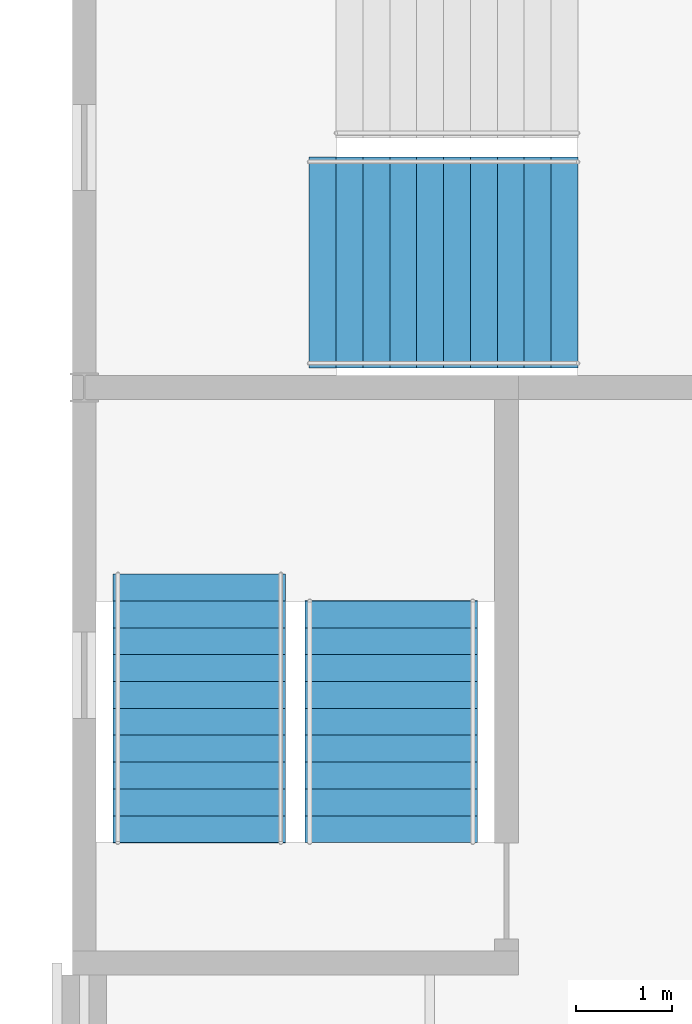
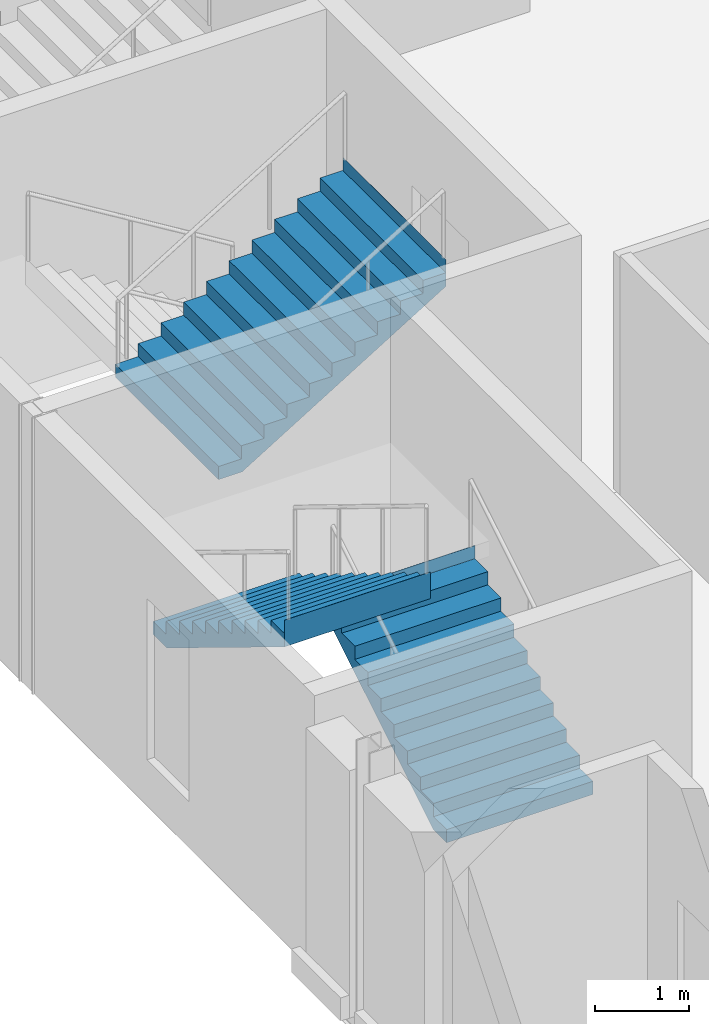
# One storey, part 81 of 124: 3 stair flights, 2 elements without a shape of their own.
"""IFC4 building model written with IfcOpenShell, lengths in metres."""

import ifcopenshell
import ifcopenshell.guid

model = None  # the IFC model being written
_history = None  # IfcOwnerHistory: only IFC2X3 demands one
_inside = {}  # id of a spatial element -> (the spatial element, [elements in it])
_under = {}  # id of a project, library or spatial element -> (it, [spatial elements below it])
_declared = {}  # id of a project -> (the project, [libraries it declares])
_typed = {}  # id of a type object -> (the type object, [elements of that type])
_made_of = {}  # id of a material, layer set ... -> (it, [elements and type objects made of it])


def new_model(schema):
    """Start an empty IFC model of exactly this schema.

    Asked for "IFC4X3", IfcOpenShell would pick the latest addendum, in which some entities
    have other attributes; the version numbers below select the first issue.
    IFC2X3 requires an IfcOwnerHistory on every rooted entity: one is made here for all.
    """
    global model, _history
    if schema == "IFC4X3":
        model = ifcopenshell.file(schema_version=(4, 3, 0, 0))
    else:
        model = ifcopenshell.file(schema=schema)
    _inside.clear()
    _under.clear()
    _declared.clear()
    _typed.clear()
    _made_of.clear()
    _history = None
    if model.schema == "IFC2X3":
        org = make("IfcOrganization", Name="unknown")
        user = make(
            "IfcPersonAndOrganization",
            ThePerson=make("IfcPerson", FamilyName="unknown"),
            TheOrganization=org,
        )
        app = make(
            "IfcApplication",
            ApplicationDeveloper=org,
            Version="unknown",
            ApplicationFullName="unknown",
            ApplicationIdentifier="unknown",
        )
        _history = make(
            "IfcOwnerHistory",
            OwningUser=user,
            OwningApplication=app,
            ChangeAction="ADDED",
            CreationDate=0,
        )
    return model


def make(cls, **values):
    """One entity of the class cls with the attributes given. An attribute that is None is left unset."""
    return model.create_entity(
        cls, **{name: value for name, value in values.items() if value is not None}
    )


def rooted(cls, **values):
    """An entity with a GlobalId (a new one), such as an element, a storey or a relation."""
    return make(cls, GlobalId=ifcopenshell.guid.new(), OwnerHistory=_history, **values)


def si_unit(unit_type, name, prefix=None):
    """IfcSIUnit, for example si_unit("LENGTHUNIT", "METRE", prefix="MILLI")."""
    return make("IfcSIUnit", UnitType=unit_type, Prefix=prefix, Name=name)


def assignment(units):
    """IfcUnitAssignment: the units of a project."""
    return None if units is None else make("IfcUnitAssignment", Units=units)


def point(xyz):
    """IfcCartesianPoint."""
    return None if xyz is None else make("IfcCartesianPoint", Coordinates=xyz)


def direction(xyz):
    """IfcDirection."""
    return None if xyz is None else make("IfcDirection", DirectionRatios=xyz)


def frame(location, z_axis=None, x_axis=None):
    """IfcAxis2Placement3D, a coordinate frame: its origin and axes. An axis left out is left unset."""
    return make(
        "IfcAxis2Placement3D",
        Location=point(location),
        Axis=direction(z_axis),
        RefDirection=direction(x_axis),
    )


def origin():
    """The frame at (0, 0, 0) with its axes left unset."""
    return frame((0.0, 0.0, 0.0))


def place(relative_to, where):
    """IfcLocalPlacement: puts the frame where relative to a parent placement (None: the world)."""
    return make(
        "IfcLocalPlacement", PlacementRelTo=relative_to, RelativePlacement=where
    )


def context(
    kind, dimensions, precision=None, world=None, true_north=None, identifier=None
):
    """IfcGeometricRepresentationContext, for example the 3D "Model" context."""
    return make(
        "IfcGeometricRepresentationContext",
        ContextIdentifier=identifier,
        ContextType=kind,
        CoordinateSpaceDimension=dimensions,
        Precision=precision,
        WorldCoordinateSystem=world,
        TrueNorth=true_north,
    )


def subcontext(parent, identifier, kind, view, scale=None):
    """IfcGeometricRepresentationSubContext, for example "Body" below "Model"."""
    return make(
        "IfcGeometricRepresentationSubContext",
        ContextIdentifier=identifier,
        ContextType=kind,
        ParentContext=parent,
        TargetScale=scale,
        TargetView=view,
    )


def project(units=None, contexts=None):
    """IfcProject with its units and contexts."""
    return rooted(
        "IfcProject",
        Name="project",
        RepresentationContexts=contexts,
        UnitsInContext=assignment(units),
    )


def spatial(cls, under=None, at=None, **own):
    """A site, building, storey or space (cls), placed at a placement, below another one or the project."""
    s = rooted(cls, ObjectPlacement=at, **own)
    if under is not None:
        _under.setdefault(under.id(), (under, []))[1].append(s)
    return s


def polyline(points):
    """IfcPolyline through the points."""
    return make("IfcPolyline", Points=[point(p) for p in points])


def outline(outer, holes=None, kind="AREA"):
    """IfcArbitraryClosedProfileDef: a profile drawn as a closed curve; with holes, ...WithVoids."""
    if holes is None:
        return make("IfcArbitraryClosedProfileDef", ProfileType=kind, OuterCurve=outer)
    return make(
        "IfcArbitraryProfileDefWithVoids",
        ProfileType=kind,
        OuterCurve=outer,
        InnerCurves=holes,
    )


def extrude(swept, where, along, depth):
    """IfcExtrudedAreaSolid: the profile swept, set in the frame where, extruded along a direction by depth."""
    return make(
        "IfcExtrudedAreaSolid",
        SweptArea=swept,
        Position=where,
        ExtrudedDirection=direction(along),
        Depth=depth,
    )


def shape(context_of_items, identifier, shape_type, items):
    """IfcShapeRepresentation: the items that make up one representation, for example the "Body"."""
    return make(
        "IfcShapeRepresentation",
        ContextOfItems=context_of_items,
        RepresentationIdentifier=identifier,
        RepresentationType=shape_type,
        Items=items,
    )


def material(Name=None, Category=None):
    """IfcMaterial."""
    return make("IfcMaterial", Name=Name, Category=Category)


def made_of(thing, what):
    """Note that an element or type object is made of a material, layer set ...; save() writes the relation."""
    if what is not None:
        _made_of.setdefault(what.id(), (what, []))[1].append(thing)
    return thing


def type_object(cls, material=None, **own):
    """A type object (cls), such as IfcWallType, which elements share."""
    return made_of(rooted(cls, **own), material)


def element(
    cls,
    number,
    at=None,
    inside=None,
    cuts=None,
    type_object=None,
    material=None,
    context=None,
    identifier="Body",
    shape_type=None,
    held_by="IfcProductDefinitionShape",
    body=None,
    shapes=None,
    **own,
):
    """One element of the class cls, such as IfcWall. Its Tag is "e" and its number.

    at: its placement. inside: the storey or other place that contains it. cuts: it is an
    opening in that element (IfcRelVoidsElement). A single representation is given by context,
    identifier, shape_type and body (its items); several are given by shapes. held_by: the class
    of the entity that holds the representations. save() writes the other relations.
    """
    e = rooted(cls, Tag="e%d" % number, ObjectPlacement=at, **own)
    if body is not None:
        shapes = [shape(context, identifier, shape_type, body)]
    if shapes is not None:
        e.Representation = make(held_by, Representations=shapes)
    if inside is not None:
        _inside.setdefault(inside.id(), (inside, []))[1].append(e)
    if cuts is not None:
        rooted(
            "IfcRelVoidsElement", RelatingBuildingElement=cuts, RelatedOpeningElement=e
        )
    if type_object is not None:
        _typed.setdefault(type_object.id(), (type_object, []))[1].append(e)
    return made_of(e, material)


def aggregate(whole, parts):
    """IfcRelAggregates: a whole, such as a stair, and the parts it consists of."""
    return rooted("IfcRelAggregates", RelatingObject=whole, RelatedObjects=parts)


def save(model, path):
    """Write the relations noted so far, then the file.

    IfcRelAggregates (storeys below a building ...), IfcRelContainedInSpatialStructure (elements
    in a storey), IfcRelDefinesByType, IfcRelAssociatesMaterial and IfcRelDeclares: one each for
    every whole, place, type object, material and project.
    """
    for whole, parts in _under.values():
        aggregate(whole, parts)
    for where, things in _inside.values():
        rooted(
            "IfcRelContainedInSpatialStructure",
            RelatedElements=things,
            RelatingStructure=where,
        )
    for kind, things in _typed.values():
        rooted("IfcRelDefinesByType", RelatedObjects=things, RelatingType=kind)
    for what, things in _made_of.values():
        rooted("IfcRelAssociatesMaterial", RelatedObjects=things, RelatingMaterial=what)
    for by, libraries in _declared.values():
        rooted("IfcRelDeclares", RelatingContext=by, RelatedDefinitions=libraries)
    model.write(path)


model = new_model("IFC4")

# Units and contexts
model_context = context("Model", 3, precision=1e-05, world=origin(), true_north=direction((0.0, 1.0)))
body_context = subcontext(model_context, "Body", "Model", "MODEL_VIEW")
ifc_project = project(units=[si_unit("LENGTHUNIT", "METRE"), si_unit("AREAUNIT", "SQUARE_METRE"), si_unit("VOLUMEUNIT", "CUBIC_METRE"), si_unit("PLANEANGLEUNIT", "RADIAN"), si_unit("MASSUNIT", "GRAM", prefix="KILO")], contexts=[model_context])

# Site, building, storey
site_placement = place(None, origin())
site = spatial("IfcSite", under=ifc_project, at=site_placement, CompositionType="ELEMENT")
building_placement = place(site_placement, origin())
building = spatial("IfcBuilding", under=site, at=building_placement, Name="Kupolbacken Congress Centre", CompositionType="ELEMENT")
storey_placement = place(building_placement, frame((0.0, 0.0, 10.800048828125)))
storey = spatial("IfcBuildingStorey", under=building, at=storey_placement, Name="L03", CompositionType="ELEMENT", Elevation=10.800048828125)

# Stair, stair flight
ifc_material_1 = material(Name="Concrete C30/37", Category="concrete")
stair_type_1 = type_object("IfcStairType", Name="ST13 stair 2200", PredefinedType="TWO_STRAIGHT_RUN_STAIR", material=ifc_material_1)
stair_1_placement = place(storey_placement, origin())
stair_1 = element("IfcStair", 1, at=stair_1_placement, inside=storey, type_object=stair_type_1, Name="C/stair/PS1SW/L03", PredefinedType="NOTDEFINED")
ifc_material_2 = material(Name="Concrete C30/37", Category="concrete")
stair_flight_type_1 = type_object("IfcStairFlightType", Name="FL14 stair flight 2200 x 11 risers", PredefinedType="STRAIGHT", material=ifc_material_2)
stair_flight_1_placement = place(storey_placement, frame((9.544921875, 51.699951171875, 1.71435546875), z_axis=(0.0, 0.0, 1.0), x_axis=(1.0, 0.0, 0.0)))
stair_flight_1 = element("IfcStairFlight", 2, at=stair_flight_1_placement, type_object=stair_flight_type_1, Name="PS1SW flight 2", NumberOfRisers=11, NumberOfTreads=10, PredefinedType="STRAIGHT", RiserHeight=0.171428571, TreadLength=0.28, context=body_context, shape_type="SweptSolid", body=[
    extrude(outline(polyline([(0.0, 0.0), (0.0, 0.0009765625), (0.0, 0.002197265625), (0.0, 0.003173828125), (0.0, 0.004150390625), (0.0, 0.00537109375), (0.0, 0.00634765625), (0.0, 0.007568359375), (0.0, 0.008544921875), (0.0, 0.009521484375), (0.0, 0.0107421875), (0.0, 0.01171875), (0.0, 0.0126953125), (0.0, 0.013916015625), (0.0, 0.014892578125), (0.0, 0.015869140625), (0.0, 0.01708984375), (0.0, 0.01806640625), (0.0, 0.019287109375), (0.0, 0.020263671875), (0.0, 0.021240234375), (0.0, 0.0224609375), (0.0, 0.0234375), (0.0, 0.0244140625), (0.0, 0.025634765625), (0.0, 0.026611328125), (0.0, 0.027587890625), (0.0, 0.02880859375), (0.0, 0.02978515625), (0.0, 0.03076171875), (0.0, 0.031982421875), (0.0, 0.032958984375), (0.0, 0.0341796875), (0.0, 0.03515625), (0.0, 0.0361328125), (0.0, 0.037353515625), (0.0, 0.038330078125), (0.0, 0.039306640625), (0.0, 0.04052734375), (0.0, 0.04150390625), (0.0, 0.04248046875), (0.0, 0.043701171875), (0.0, 0.044677734375), (0.0, 0.0458984375), (0.0, 0.046875), (0.0, 0.0478515625), (0.0, 0.049072265625), (0.0, 0.050048828125), (0.0, 0.051025390625), (0.0, 0.05224609375), (0.0, 0.05322265625), (0.0, 0.05419921875), (0.0, 0.055419921875), (0.0, 0.056396484375), (0.0, 0.0576171875), (0.0, 0.05859375), (0.0, 0.0595703125), (0.0, 0.060791015625), (0.0, 0.061767578125), (0.0, 0.062744140625), (0.0, 0.06396484375), (0.0, 0.06494140625), (0.0, 0.06591796875), (0.0, 0.067138671875), (0.0, 0.068115234375), (0.0, 0.069091796875), (0.0, 0.0703125), (0.0, 0.0712890625), (0.0, 0.072509765625), (0.0, 0.073486328125), (0.0, 0.074462890625), (0.0, 0.07568359375), (0.0, 0.07666015625), (0.0, 0.07763671875), (0.0, 0.078857421875), (0.0, 0.079833984375), (0.0, 0.080810546875), (0.0, 0.08203125), (0.0, 0.0830078125), (0.0, 0.084228515625), (0.0, 0.085205078125), (0.0, 0.086181640625), (0.0, 0.08740234375), (0.0, 0.08837890625), (0.0, 0.08935546875), (0.0, 0.090576171875), (0.0, 0.091552734375), (0.0, 0.092529296875), (0.0, 0.09375), (0.0, 0.0947265625), (0.0, 0.095947265625), (0.0, 0.096923828125), (0.0, 0.097900390625), (0.0, 0.09912109375), (0.0, 0.10009765625), (0.0, 0.10107421875), (0.0, 0.102294921875), (0.0, 0.103271484375), (0.0, 0.104248046875), (0.0, 0.10546875), (0.0, 0.1064453125), (0.0, 0.107421875), (0.0, 0.108642578125), (0.0, 0.109619140625), (0.0, 0.11083984375), (0.0, 0.11181640625), (0.0, 0.11279296875), (0.0, 0.114013671875), (0.0, 0.114990234375), (0.0, 0.115966796875), (0.0, 0.1171875), (0.0, 0.1181640625), (0.0, 0.119140625), (0.0, 0.120361328125), (0.0, 0.121337890625), (0.0, 0.12255859375), (0.0, 0.12353515625), (0.0, 0.12451171875), (0.0, 0.125732421875), (0.0, 0.126708984375), (0.0, 0.127685546875), (0.0, 0.12890625), (0.0, 0.1298828125), (0.0, 0.130859375), (0.0, 0.132080078125), (0.0, 0.133056640625), (0.0, 0.13427734375), (0.0, 0.13525390625), (0.0, 0.13623046875), (0.0, 0.137451171875), (0.0, 0.138427734375), (0.0, 0.139404296875), (0.0, 0.140625), (0.0, 0.1416015625), (0.0, 0.142578125), (0.0, 0.143798828125), (0.0, 0.144775390625), (0.0, 0.145751953125), (0.0, 0.14697265625), (0.0, 0.14794921875), (0.0, 0.149169921875), (0.0, 0.150146484375), (0.0, 0.151123046875), (0.0, 0.15234375), (0.0, 0.1533203125), (0.0, 0.154296875), (0.0, 0.155517578125), (0.0, 0.156494140625), (0.0, 0.157470703125), (0.0, 0.15869140625), (0.0, 0.15966796875), (0.0, 0.160888671875), (0.0, 0.161865234375), (0.0, 0.162841796875), (0.0, 0.1640625), (0.0, 0.1650390625), (0.0, 0.166015625), (0.0, 0.167236328125), (0.0, 0.168212890625), (0.0, 0.169189453125), (0.0, 0.17041015625), (0.0, 0.17138671875), (0.280029296875, 0.17138671875), (0.280029296875, 0.3427734375), (0.56005859375, 0.3427734375), (0.56005859375, 0.514404296875), (0.840087890625, 0.514404296875), (0.840087890625, 0.685791015625), (1.1201171875, 0.685791015625), (1.1201171875, 0.857177734375), (1.39990234375, 0.857177734375), (1.39990234375, 1.028564453125), (1.679931640625, 1.028564453125), (1.679931640625, 1.199951171875), (1.9599609375, 1.199951171875), (1.9599609375, 1.371337890625), (2.239990234375, 1.371337890625), (2.239990234375, 1.54296875), (2.52001953125, 1.54296875), (2.52001953125, 1.71435546875), (2.800048828125, 1.71435546875), (2.800048828125, 1.8857421875), (2.802001953125, 1.8857421875), (2.802001953125, 1.883544921875), (2.802001953125, 1.88134765625), (2.802001953125, 1.879150390625), (2.802001953125, 1.877197265625), (2.802001953125, 1.875), (2.802001953125, 1.872802734375), (2.802001953125, 1.87060546875), (2.802001953125, 1.868408203125), (2.802001953125, 1.8662109375), (2.802001953125, 1.8642578125), (2.802001953125, 1.862060546875), (2.802001953125, 1.85986328125), (2.802001953125, 1.857666015625), (2.802001953125, 1.85546875), (2.802001953125, 1.853271484375), (2.802001953125, 1.851318359375), (2.802001953125, 1.84912109375), (2.802001953125, 1.846923828125), (2.802001953125, 1.8447265625), (2.802001953125, 1.842529296875), (2.802001953125, 1.84033203125), (2.802001953125, 1.83837890625), (2.802001953125, 1.836181640625), (2.802001953125, 1.833984375), (2.802001953125, 1.831787109375), (2.802001953125, 1.82958984375), (2.802001953125, 1.827392578125), (2.802001953125, 1.825439453125), (2.802001953125, 1.8232421875), (2.802001953125, 1.821044921875), (2.802001953125, 1.81884765625), (2.802001953125, 1.816650390625), (2.802001953125, 1.814453125), (2.802001953125, 1.8125), (2.802001953125, 1.810302734375), (2.802001953125, 1.80810546875), (2.802001953125, 1.805908203125), (2.802001953125, 1.8037109375), (2.802001953125, 1.801513671875), (2.802001953125, 1.799560546875), (2.802001953125, 1.79736328125), (2.802001953125, 1.795166015625), (2.802001953125, 1.79296875), (2.802001953125, 1.790771484375), (2.802001953125, 1.78857421875), (2.802001953125, 1.78662109375), (2.802001953125, 1.784423828125), (2.802001953125, 1.7822265625), (2.802001953125, 1.780029296875), (2.802001953125, 1.77783203125), (2.802001953125, 1.775634765625), (2.802001953125, 1.773681640625), (2.802001953125, 1.771484375), (2.802001953125, 1.769287109375), (2.802001953125, 1.76708984375), (2.802001953125, 1.764892578125), (2.802001953125, 1.7626953125), (2.802001953125, 1.7607421875), (2.802001953125, 1.758544921875), (2.802001953125, 1.75634765625), (2.802001953125, 1.754150390625), (2.802001953125, 1.751953125), (2.802001953125, 1.749755859375), (2.802001953125, 1.747802734375), (2.802001953125, 1.74560546875), (2.802001953125, 1.743408203125), (2.802001953125, 1.7412109375), (2.802001953125, 1.739013671875), (2.802001953125, 1.73681640625), (2.802001953125, 1.73486328125), (2.802001953125, 1.732666015625), (2.802001953125, 1.73046875), (2.802001953125, 1.728271484375), (2.802001953125, 1.72607421875), (2.802001953125, 1.723876953125), (2.802001953125, 1.721923828125), (2.802001953125, 1.7197265625), (2.802001953125, 1.717529296875), (2.802001953125, 1.71533203125), (2.802001953125, 1.713134765625), (2.802001953125, 1.7109375), (2.802001953125, 1.708984375), (2.802001953125, 1.706787109375), (2.802001953125, 1.70458984375), (2.802001953125, 1.702392578125), (2.802001953125, 1.7001953125), (2.802001953125, 1.697998046875), (2.802001953125, 1.696044921875), (2.802001953125, 1.69384765625), (2.802001953125, 1.691650390625), (2.802001953125, 1.689453125), (2.802001953125, 1.687255859375), (2.802001953125, 1.68505859375), (2.802001953125, 1.68310546875), (2.802001953125, 1.680908203125), (2.802001953125, 1.6787109375), (2.802001953125, 1.676513671875), (2.802001953125, 1.67431640625), (2.802001953125, 1.672119140625), (2.802001953125, 1.670166015625), (2.802001953125, 1.66796875), (2.802001953125, 1.665771484375), (2.802001953125, 1.66357421875), (2.802001953125, 1.661376953125), (2.802001953125, 1.6591796875), (2.802001953125, 1.6572265625), (2.802001953125, 1.655029296875), (2.802001953125, 1.65283203125), (2.802001953125, 1.650634765625), (2.802001953125, 1.6484375), (2.802001953125, 1.646240234375), (2.802001953125, 1.644287109375), (2.802001953125, 1.64208984375), (2.802001953125, 1.639892578125), (2.802001953125, 1.6376953125), (2.802001953125, 1.635498046875), (2.802001953125, 1.63330078125), (2.802001953125, 1.63134765625), (2.802001953125, 1.629150390625), (2.802001953125, 1.626953125), (2.802001953125, 1.624755859375), (2.802001953125, 1.62255859375), (2.802001953125, 1.620361328125), (2.802001953125, 1.618408203125), (2.802001953125, 1.6162109375), (2.802001953125, 1.614013671875), (2.802001953125, 1.61181640625), (2.802001953125, 1.609619140625), (2.802001953125, 1.607421875), (2.802001953125, 1.60546875), (2.802001953125, 1.603271484375), (2.802001953125, 1.60107421875), (2.802001953125, 1.598876953125), (2.802001953125, 1.5966796875), (2.802001953125, 1.594482421875), (2.802001953125, 1.592529296875), (2.802001953125, 1.59033203125), (2.802001953125, 1.588134765625), (2.802001953125, 1.5859375), (2.802001953125, 1.583740234375), (2.802001953125, 1.58154296875), (2.802001953125, 1.57958984375), (2.802001953125, 1.577392578125), (2.802001953125, 1.5751953125), (2.802001953125, 1.572998046875), (2.802001953125, 1.57080078125), (2.802001953125, 1.568603515625), (2.802001953125, 1.566650390625), (2.802001953125, 1.564453125), (2.802001953125, 1.562255859375), (2.802001953125, 1.56005859375), (2.802001953125, 1.557861328125), (2.802001953125, 1.5556640625), (2.802001953125, 1.5537109375), (2.802001953125, 1.551513671875), (2.802001953125, 1.54931640625), (2.802001953125, 1.547119140625), (2.802001953125, 1.544921875), (2.802001953125, 1.542724609375), (2.802001953125, 1.540771484375), (2.802001953125, 1.53857421875), (0.2890625, 0.0), (0.0, 0.0)])), frame((0.0, 1.10009765625, 0.0), z_axis=(0.0, -1.0, 0.0), x_axis=(1.0, 0.0, 0.0)), (0.0, 0.0, 1.0), 2.199951171875),
])
aggregate(stair_1, [stair_flight_1])

# Stair, stair flights
ifc_material_3 = material(Name="Steel S355", Category="steel")
stair_type_2 = type_object("IfcStairType", Name="ST3 stair 1800", PredefinedType="TWO_STRAIGHT_RUN_STAIR", material=ifc_material_3)
stair_2_placement = place(storey_placement, origin())
stair_2 = element("IfcStair", 3, at=stair_2_placement, inside=storey, type_object=stair_type_2, Name="C/stair/FS2W/L03", PredefinedType="NOTDEFINED")
ifc_material_4 = material(Name="Steel S355", Category="steel")
stair_flight_type_2 = type_object("IfcStairFlightType", Name="FL5 stair flight 1800 x 10 risers", PredefinedType="STRAIGHT", material=ifc_material_4)
stair_flight_2_placement = place(storey_placement, frame((10.39990234375, 45.655029296875, 0.0), z_axis=(0.0, 0.0, 1.0), x_axis=(0.0, 1.0, 0.0)))
stair_flight_2 = element("IfcStairFlight", 4, at=stair_flight_2_placement, type_object=stair_flight_type_2, Name="FS2W flight 1", NumberOfRisers=10, NumberOfTreads=9, PredefinedType="STRAIGHT", RiserHeight=0.171428571, TreadLength=0.28, context=body_context, shape_type="SweptSolid", body=[
    extrude(outline(polyline([(0.0, 0.0), (0.0, 0.0009765625), (0.0, 0.002197265625), (0.0, 0.003173828125), (0.0, 0.004150390625), (0.0, 0.00537109375), (0.0, 0.00634765625), (0.0, 0.007568359375), (0.0, 0.008544921875), (0.0, 0.009521484375), (0.0, 0.0107421875), (0.0, 0.01171875), (0.0, 0.0126953125), (0.0, 0.013916015625), (0.0, 0.014892578125), (0.0, 0.015869140625), (0.0, 0.01708984375), (0.0, 0.01806640625), (0.0, 0.019287109375), (0.0, 0.020263671875), (0.0, 0.021240234375), (0.0, 0.0224609375), (0.0, 0.0234375), (0.0, 0.0244140625), (0.0, 0.025634765625), (0.0, 0.026611328125), (0.0, 0.027587890625), (0.0, 0.02880859375), (0.0, 0.02978515625), (0.0, 0.03076171875), (0.0, 0.031982421875), (0.0, 0.032958984375), (0.0, 0.0341796875), (0.0, 0.03515625), (0.0, 0.0361328125), (0.0, 0.037353515625), (0.0, 0.038330078125), (0.0, 0.039306640625), (0.0, 0.04052734375), (0.0, 0.04150390625), (0.0, 0.04248046875), (0.0, 0.043701171875), (0.0, 0.044677734375), (0.0, 0.0458984375), (0.0, 0.046875), (0.0, 0.0478515625), (0.0, 0.049072265625), (0.0, 0.050048828125), (0.0, 0.051025390625), (0.0, 0.05224609375), (0.0, 0.05322265625), (0.0, 0.05419921875), (0.0, 0.055419921875), (0.0, 0.056396484375), (0.0, 0.0576171875), (0.0, 0.05859375), (0.0, 0.0595703125), (0.0, 0.060791015625), (0.0, 0.061767578125), (0.0, 0.062744140625), (0.0, 0.06396484375), (0.0, 0.06494140625), (0.0, 0.06591796875), (0.0, 0.067138671875), (0.0, 0.068115234375), (0.0, 0.069091796875), (0.0, 0.0703125), (0.0, 0.0712890625), (0.0, 0.072509765625), (0.0, 0.073486328125), (0.0, 0.074462890625), (0.0, 0.07568359375), (0.0, 0.07666015625), (0.0, 0.07763671875), (0.0, 0.078857421875), (0.0, 0.079833984375), (0.0, 0.080810546875), (0.0, 0.08203125), (0.0, 0.0830078125), (0.0, 0.084228515625), (0.0, 0.085205078125), (0.0, 0.086181640625), (0.0, 0.08740234375), (0.0, 0.08837890625), (0.0, 0.08935546875), (0.0, 0.090576171875), (0.0, 0.091552734375), (0.0, 0.092529296875), (0.0, 0.09375), (0.0, 0.0947265625), (0.0, 0.095947265625), (0.0, 0.096923828125), (0.0, 0.097900390625), (0.0, 0.09912109375), (0.0, 0.10009765625), (0.0, 0.10107421875), (0.0, 0.102294921875), (0.0, 0.103271484375), (0.0, 0.104248046875), (0.0, 0.10546875), (0.0, 0.1064453125), (0.0, 0.107421875), (0.0, 0.108642578125), (0.0, 0.109619140625), (0.0, 0.11083984375), (0.0, 0.11181640625), (0.0, 0.11279296875), (0.0, 0.114013671875), (0.0, 0.114990234375), (0.0, 0.115966796875), (0.0, 0.1171875), (0.0, 0.1181640625), (0.0, 0.119140625), (0.0, 0.120361328125), (0.0, 0.121337890625), (0.0, 0.12255859375), (0.0, 0.12353515625), (0.0, 0.12451171875), (0.0, 0.125732421875), (0.0, 0.126708984375), (0.0, 0.127685546875), (0.0, 0.12890625), (0.0, 0.1298828125), (0.0, 0.130859375), (0.0, 0.132080078125), (0.0, 0.133056640625), (0.0, 0.13427734375), (0.0, 0.13525390625), (0.0, 0.13623046875), (0.0, 0.137451171875), (0.0, 0.138427734375), (0.0, 0.139404296875), (0.0, 0.140625), (0.0, 0.1416015625), (0.0, 0.142578125), (0.0, 0.143798828125), (0.0, 0.144775390625), (0.0, 0.145751953125), (0.0, 0.14697265625), (0.0, 0.14794921875), (0.0, 0.149169921875), (0.0, 0.150146484375), (0.0, 0.151123046875), (0.0, 0.15234375), (0.0, 0.1533203125), (0.0, 0.154296875), (0.0, 0.155517578125), (0.0, 0.156494140625), (0.0, 0.157470703125), (0.0, 0.15869140625), (0.0, 0.15966796875), (0.0, 0.160888671875), (0.0, 0.161865234375), (0.0, 0.162841796875), (0.0, 0.1640625), (0.0, 0.1650390625), (0.0, 0.166015625), (0.0, 0.167236328125), (0.0, 0.168212890625), (0.0, 0.169189453125), (0.0, 0.17041015625), (0.0, 0.17138671875), (0.280029296875, 0.17138671875), (0.280029296875, 0.3427734375), (0.56005859375, 0.3427734375), (0.56005859375, 0.514404296875), (0.840087890625, 0.514404296875), (0.840087890625, 0.685791015625), (1.1201171875, 0.685791015625), (1.1201171875, 0.857177734375), (1.39990234375, 0.857177734375), (1.39990234375, 1.028564453125), (1.679931640625, 1.028564453125), (1.679931640625, 1.199951171875), (1.9599609375, 1.199951171875), (1.9599609375, 1.371337890625), (2.239990234375, 1.371337890625), (2.239990234375, 1.54296875), (2.52001953125, 1.54296875), (2.52001953125, 1.71435546875), (2.52197265625, 1.71435546875), (2.52197265625, 1.712158203125), (2.52197265625, 1.7099609375), (2.52197265625, 1.707763671875), (2.52197265625, 1.70556640625), (2.52197265625, 1.70361328125), (2.52197265625, 1.701416015625), (2.52197265625, 1.69921875), (2.52197265625, 1.697021484375), (2.52197265625, 1.69482421875), (2.52197265625, 1.692626953125), (2.52197265625, 1.690673828125), (2.52197265625, 1.6884765625), (2.52197265625, 1.686279296875), (2.52197265625, 1.68408203125), (2.52197265625, 1.681884765625), (2.52197265625, 1.6796875), (2.52197265625, 1.677734375), (2.52197265625, 1.675537109375), (2.52197265625, 1.67333984375), (2.52197265625, 1.671142578125), (2.52197265625, 1.6689453125), (2.52197265625, 1.666748046875), (2.52197265625, 1.664794921875), (2.52197265625, 1.66259765625), (2.52197265625, 1.660400390625), (2.52197265625, 1.658203125), (2.52197265625, 1.656005859375), (2.52197265625, 1.65380859375), (2.52197265625, 1.65185546875), (2.52197265625, 1.649658203125), (2.52197265625, 1.6474609375), (2.52197265625, 1.645263671875), (2.52197265625, 1.64306640625), (2.52197265625, 1.640869140625), (2.52197265625, 1.638916015625), (2.52197265625, 1.63671875), (2.52197265625, 1.634521484375), (2.52197265625, 1.63232421875), (2.52197265625, 1.630126953125), (2.52197265625, 1.6279296875), (2.52197265625, 1.6259765625), (2.52197265625, 1.623779296875), (2.52197265625, 1.62158203125), (2.52197265625, 1.619384765625), (2.52197265625, 1.6171875), (2.52197265625, 1.614990234375), (2.52197265625, 1.613037109375), (2.52197265625, 1.61083984375), (2.52197265625, 1.608642578125), (2.52197265625, 1.6064453125), (2.52197265625, 1.604248046875), (2.52197265625, 1.60205078125), (2.52197265625, 1.60009765625), (2.52197265625, 1.597900390625), (2.52197265625, 1.595703125), (2.52197265625, 1.593505859375), (2.52197265625, 1.59130859375), (2.52197265625, 1.589111328125), (2.52197265625, 1.587158203125), (2.52197265625, 1.5849609375), (2.52197265625, 1.582763671875), (2.52197265625, 1.58056640625), (2.52197265625, 1.578369140625), (2.52197265625, 1.576171875), (2.52197265625, 1.57421875), (2.52197265625, 1.572021484375), (2.52197265625, 1.56982421875), (2.52197265625, 1.567626953125), (2.52197265625, 1.5654296875), (2.52197265625, 1.563232421875), (2.52197265625, 1.561279296875), (2.52197265625, 1.55908203125), (2.52197265625, 1.556884765625), (2.52197265625, 1.5546875), (2.52197265625, 1.552490234375), (2.52197265625, 1.55029296875), (2.52197265625, 1.54833984375), (2.52197265625, 1.546142578125), (2.52197265625, 1.5439453125), (2.52197265625, 1.541748046875), (2.52197265625, 1.53955078125), (2.52197265625, 1.537353515625), (2.52197265625, 1.535400390625), (2.52197265625, 1.533203125), (2.52197265625, 1.531005859375), (2.52197265625, 1.52880859375), (2.52197265625, 1.526611328125), (2.52197265625, 1.5244140625), (2.52197265625, 1.5224609375), (2.52197265625, 1.520263671875), (2.52197265625, 1.51806640625), (2.52197265625, 1.515869140625), (2.52197265625, 1.513671875), (2.52197265625, 1.511474609375), (2.52197265625, 1.509521484375), (2.52197265625, 1.50732421875), (2.52197265625, 1.505126953125), (2.52197265625, 1.5029296875), (2.52197265625, 1.500732421875), (2.52197265625, 1.49853515625), (2.52197265625, 1.49658203125), (2.52197265625, 1.494384765625), (2.52197265625, 1.4921875), (2.52197265625, 1.489990234375), (2.52197265625, 1.48779296875), (2.52197265625, 1.485595703125), (2.52197265625, 1.483642578125), (2.52197265625, 1.4814453125), (2.52197265625, 1.479248046875), (2.52197265625, 1.47705078125), (2.52197265625, 1.474853515625), (2.52197265625, 1.47265625), (2.52197265625, 1.470703125), (2.52197265625, 1.468505859375), (2.52197265625, 1.46630859375), (2.52197265625, 1.464111328125), (2.52197265625, 1.4619140625), (2.52197265625, 1.459716796875), (2.52197265625, 1.457763671875), (2.52197265625, 1.45556640625), (2.52197265625, 1.453369140625), (2.52197265625, 1.451171875), (2.52197265625, 1.448974609375), (2.52197265625, 1.44677734375), (2.52197265625, 1.44482421875), (2.52197265625, 1.442626953125), (2.52197265625, 1.4404296875), (2.52197265625, 1.438232421875), (2.52197265625, 1.43603515625), (2.52197265625, 1.433837890625), (2.52197265625, 1.431884765625), (2.52197265625, 1.4296875), (2.52197265625, 1.427490234375), (2.52197265625, 1.42529296875), (2.52197265625, 1.423095703125), (2.52197265625, 1.4208984375), (2.52197265625, 1.4189453125), (2.52197265625, 1.416748046875), (2.52197265625, 1.41455078125), (2.52197265625, 1.412353515625), (2.52197265625, 1.41015625), (2.52197265625, 1.407958984375), (2.52197265625, 1.406005859375), (2.52197265625, 1.40380859375), (2.52197265625, 1.401611328125), (2.52197265625, 1.3994140625), (2.52197265625, 1.397216796875), (2.52197265625, 1.39501953125), (2.52197265625, 1.39306640625), (2.52197265625, 1.390869140625), (2.52197265625, 1.388671875), (2.52197265625, 1.386474609375), (2.52197265625, 1.38427734375), (2.52197265625, 1.382080078125), (2.52197265625, 1.380126953125), (2.52197265625, 1.3779296875), (2.52197265625, 1.375732421875), (2.52197265625, 1.37353515625), (2.52197265625, 1.371337890625), (2.52197265625, 1.369140625), (2.52197265625, 1.3671875), (0.2890625, 0.0), (0.0, 0.0)])), frame((0.0, 0.89990234375, 0.0), z_axis=(0.0, -1.0, 0.0), x_axis=(1.0, 0.0, 0.0)), (0.0, 0.0, 1.0), 1.800048828125),
])
ifc_material_5 = material(Name="Steel S355", Category="steel")
stair_flight_type_3 = type_object("IfcStairFlightType", Name="FL6 stair flight 1800 x 11 risers", PredefinedType="STRAIGHT", material=ifc_material_5)
stair_flight_3_placement = place(storey_placement, frame((8.39990234375, 48.455078125, 1.71435546875), z_axis=(0.0, 0.0, 1.0), x_axis=(0.0, -1.0, 0.0)))
stair_flight_3 = element("IfcStairFlight", 5, at=stair_flight_3_placement, type_object=stair_flight_type_3, Name="FS2W flight 2", NumberOfRisers=11, NumberOfTreads=10, PredefinedType="STRAIGHT", RiserHeight=0.171428571, TreadLength=0.28, context=body_context, shape_type="SweptSolid", body=[
    extrude(outline(polyline([(0.0, 0.0), (0.0, 0.0009765625), (0.0, 0.002197265625), (0.0, 0.003173828125), (0.0, 0.004150390625), (0.0, 0.00537109375), (0.0, 0.00634765625), (0.0, 0.007568359375), (0.0, 0.008544921875), (0.0, 0.009521484375), (0.0, 0.0107421875), (0.0, 0.01171875), (0.0, 0.0126953125), (0.0, 0.013916015625), (0.0, 0.014892578125), (0.0, 0.015869140625), (0.0, 0.01708984375), (0.0, 0.01806640625), (0.0, 0.019287109375), (0.0, 0.020263671875), (0.0, 0.021240234375), (0.0, 0.0224609375), (0.0, 0.0234375), (0.0, 0.0244140625), (0.0, 0.025634765625), (0.0, 0.026611328125), (0.0, 0.027587890625), (0.0, 0.02880859375), (0.0, 0.02978515625), (0.0, 0.03076171875), (0.0, 0.031982421875), (0.0, 0.032958984375), (0.0, 0.0341796875), (0.0, 0.03515625), (0.0, 0.0361328125), (0.0, 0.037353515625), (0.0, 0.038330078125), (0.0, 0.039306640625), (0.0, 0.04052734375), (0.0, 0.04150390625), (0.0, 0.04248046875), (0.0, 0.043701171875), (0.0, 0.044677734375), (0.0, 0.0458984375), (0.0, 0.046875), (0.0, 0.0478515625), (0.0, 0.049072265625), (0.0, 0.050048828125), (0.0, 0.051025390625), (0.0, 0.05224609375), (0.0, 0.05322265625), (0.0, 0.05419921875), (0.0, 0.055419921875), (0.0, 0.056396484375), (0.0, 0.0576171875), (0.0, 0.05859375), (0.0, 0.0595703125), (0.0, 0.060791015625), (0.0, 0.061767578125), (0.0, 0.062744140625), (0.0, 0.06396484375), (0.0, 0.06494140625), (0.0, 0.06591796875), (0.0, 0.067138671875), (0.0, 0.068115234375), (0.0, 0.069091796875), (0.0, 0.0703125), (0.0, 0.0712890625), (0.0, 0.072509765625), (0.0, 0.073486328125), (0.0, 0.074462890625), (0.0, 0.07568359375), (0.0, 0.07666015625), (0.0, 0.07763671875), (0.0, 0.078857421875), (0.0, 0.079833984375), (0.0, 0.080810546875), (0.0, 0.08203125), (0.0, 0.0830078125), (0.0, 0.084228515625), (0.0, 0.085205078125), (0.0, 0.086181640625), (0.0, 0.08740234375), (0.0, 0.08837890625), (0.0, 0.08935546875), (0.0, 0.090576171875), (0.0, 0.091552734375), (0.0, 0.092529296875), (0.0, 0.09375), (0.0, 0.0947265625), (0.0, 0.095947265625), (0.0, 0.096923828125), (0.0, 0.097900390625), (0.0, 0.09912109375), (0.0, 0.10009765625), (0.0, 0.10107421875), (0.0, 0.102294921875), (0.0, 0.103271484375), (0.0, 0.104248046875), (0.0, 0.10546875), (0.0, 0.1064453125), (0.0, 0.107421875), (0.0, 0.108642578125), (0.0, 0.109619140625), (0.0, 0.11083984375), (0.0, 0.11181640625), (0.0, 0.11279296875), (0.0, 0.114013671875), (0.0, 0.114990234375), (0.0, 0.115966796875), (0.0, 0.1171875), (0.0, 0.1181640625), (0.0, 0.119140625), (0.0, 0.120361328125), (0.0, 0.121337890625), (0.0, 0.12255859375), (0.0, 0.12353515625), (0.0, 0.12451171875), (0.0, 0.125732421875), (0.0, 0.126708984375), (0.0, 0.127685546875), (0.0, 0.12890625), (0.0, 0.1298828125), (0.0, 0.130859375), (0.0, 0.132080078125), (0.0, 0.133056640625), (0.0, 0.13427734375), (0.0, 0.13525390625), (0.0, 0.13623046875), (0.0, 0.137451171875), (0.0, 0.138427734375), (0.0, 0.139404296875), (0.0, 0.140625), (0.0, 0.1416015625), (0.0, 0.142578125), (0.0, 0.143798828125), (0.0, 0.144775390625), (0.0, 0.145751953125), (0.0, 0.14697265625), (0.0, 0.14794921875), (0.0, 0.149169921875), (0.0, 0.150146484375), (0.0, 0.151123046875), (0.0, 0.15234375), (0.0, 0.1533203125), (0.0, 0.154296875), (0.0, 0.155517578125), (0.0, 0.156494140625), (0.0, 0.157470703125), (0.0, 0.15869140625), (0.0, 0.15966796875), (0.0, 0.160888671875), (0.0, 0.161865234375), (0.0, 0.162841796875), (0.0, 0.1640625), (0.0, 0.1650390625), (0.0, 0.166015625), (0.0, 0.167236328125), (0.0, 0.168212890625), (0.0, 0.169189453125), (0.0, 0.17041015625), (0.0, 0.17138671875), (0.280029296875, 0.17138671875), (0.280029296875, 0.3427734375), (0.56005859375, 0.3427734375), (0.56005859375, 0.514404296875), (0.840087890625, 0.514404296875), (0.840087890625, 0.685791015625), (1.1201171875, 0.685791015625), (1.1201171875, 0.857177734375), (1.39990234375, 0.857177734375), (1.39990234375, 1.028564453125), (1.679931640625, 1.028564453125), (1.679931640625, 1.199951171875), (1.9599609375, 1.199951171875), (1.9599609375, 1.371337890625), (2.239990234375, 1.371337890625), (2.239990234375, 1.54296875), (2.52001953125, 1.54296875), (2.52001953125, 1.71435546875), (2.800048828125, 1.71435546875), (2.800048828125, 1.8857421875), (2.802001953125, 1.8857421875), (2.802001953125, 1.883544921875), (2.802001953125, 1.88134765625), (2.802001953125, 1.879150390625), (2.802001953125, 1.877197265625), (2.802001953125, 1.875), (2.802001953125, 1.872802734375), (2.802001953125, 1.87060546875), (2.802001953125, 1.868408203125), (2.802001953125, 1.8662109375), (2.802001953125, 1.8642578125), (2.802001953125, 1.862060546875), (2.802001953125, 1.85986328125), (2.802001953125, 1.857666015625), (2.802001953125, 1.85546875), (2.802001953125, 1.853271484375), (2.802001953125, 1.851318359375), (2.802001953125, 1.84912109375), (2.802001953125, 1.846923828125), (2.802001953125, 1.8447265625), (2.802001953125, 1.842529296875), (2.802001953125, 1.84033203125), (2.802001953125, 1.83837890625), (2.802001953125, 1.836181640625), (2.802001953125, 1.833984375), (2.802001953125, 1.831787109375), (2.802001953125, 1.82958984375), (2.802001953125, 1.827392578125), (2.802001953125, 1.825439453125), (2.802001953125, 1.8232421875), (2.802001953125, 1.821044921875), (2.802001953125, 1.81884765625), (2.802001953125, 1.816650390625), (2.802001953125, 1.814453125), (2.802001953125, 1.8125), (2.802001953125, 1.810302734375), (2.802001953125, 1.80810546875), (2.802001953125, 1.805908203125), (2.802001953125, 1.8037109375), (2.802001953125, 1.801513671875), (2.802001953125, 1.799560546875), (2.802001953125, 1.79736328125), (2.802001953125, 1.795166015625), (2.802001953125, 1.79296875), (2.802001953125, 1.790771484375), (2.802001953125, 1.78857421875), (2.802001953125, 1.78662109375), (2.802001953125, 1.784423828125), (2.802001953125, 1.7822265625), (2.802001953125, 1.780029296875), (2.802001953125, 1.77783203125), (2.802001953125, 1.775634765625), (2.802001953125, 1.773681640625), (2.802001953125, 1.771484375), (2.802001953125, 1.769287109375), (2.802001953125, 1.76708984375), (2.802001953125, 1.764892578125), (2.802001953125, 1.7626953125), (2.802001953125, 1.7607421875), (2.802001953125, 1.758544921875), (2.802001953125, 1.75634765625), (2.802001953125, 1.754150390625), (2.802001953125, 1.751953125), (2.802001953125, 1.749755859375), (2.802001953125, 1.747802734375), (2.802001953125, 1.74560546875), (2.802001953125, 1.743408203125), (2.802001953125, 1.7412109375), (2.802001953125, 1.739013671875), (2.802001953125, 1.73681640625), (2.802001953125, 1.73486328125), (2.802001953125, 1.732666015625), (2.802001953125, 1.73046875), (2.802001953125, 1.728271484375), (2.802001953125, 1.72607421875), (2.802001953125, 1.723876953125), (2.802001953125, 1.721923828125), (2.802001953125, 1.7197265625), (2.802001953125, 1.717529296875), (2.802001953125, 1.71533203125), (2.802001953125, 1.713134765625), (2.802001953125, 1.7109375), (2.802001953125, 1.708984375), (2.802001953125, 1.706787109375), (2.802001953125, 1.70458984375), (2.802001953125, 1.702392578125), (2.802001953125, 1.7001953125), (2.802001953125, 1.697998046875), (2.802001953125, 1.696044921875), (2.802001953125, 1.69384765625), (2.802001953125, 1.691650390625), (2.802001953125, 1.689453125), (2.802001953125, 1.687255859375), (2.802001953125, 1.68505859375), (2.802001953125, 1.68310546875), (2.802001953125, 1.680908203125), (2.802001953125, 1.6787109375), (2.802001953125, 1.676513671875), (2.802001953125, 1.67431640625), (2.802001953125, 1.672119140625), (2.802001953125, 1.670166015625), (2.802001953125, 1.66796875), (2.802001953125, 1.665771484375), (2.802001953125, 1.66357421875), (2.802001953125, 1.661376953125), (2.802001953125, 1.6591796875), (2.802001953125, 1.6572265625), (2.802001953125, 1.655029296875), (2.802001953125, 1.65283203125), (2.802001953125, 1.650634765625), (2.802001953125, 1.6484375), (2.802001953125, 1.646240234375), (2.802001953125, 1.644287109375), (2.802001953125, 1.64208984375), (2.802001953125, 1.639892578125), (2.802001953125, 1.6376953125), (2.802001953125, 1.635498046875), (2.802001953125, 1.63330078125), (2.802001953125, 1.63134765625), (2.802001953125, 1.629150390625), (2.802001953125, 1.626953125), (2.802001953125, 1.624755859375), (2.802001953125, 1.62255859375), (2.802001953125, 1.620361328125), (2.802001953125, 1.618408203125), (2.802001953125, 1.6162109375), (2.802001953125, 1.614013671875), (2.802001953125, 1.61181640625), (2.802001953125, 1.609619140625), (2.802001953125, 1.607421875), (2.802001953125, 1.60546875), (2.802001953125, 1.603271484375), (2.802001953125, 1.60107421875), (2.802001953125, 1.598876953125), (2.802001953125, 1.5966796875), (2.802001953125, 1.594482421875), (2.802001953125, 1.592529296875), (2.802001953125, 1.59033203125), (2.802001953125, 1.588134765625), (2.802001953125, 1.5859375), (2.802001953125, 1.583740234375), (2.802001953125, 1.58154296875), (2.802001953125, 1.57958984375), (2.802001953125, 1.577392578125), (2.802001953125, 1.5751953125), (2.802001953125, 1.572998046875), (2.802001953125, 1.57080078125), (2.802001953125, 1.568603515625), (2.802001953125, 1.566650390625), (2.802001953125, 1.564453125), (2.802001953125, 1.562255859375), (2.802001953125, 1.56005859375), (2.802001953125, 1.557861328125), (2.802001953125, 1.5556640625), (2.802001953125, 1.5537109375), (2.802001953125, 1.551513671875), (2.802001953125, 1.54931640625), (2.802001953125, 1.547119140625), (2.802001953125, 1.544921875), (2.802001953125, 1.542724609375), (2.802001953125, 1.540771484375), (2.802001953125, 1.53857421875), (0.2890625, 0.0), (0.0, 0.0)])), frame((0.0, 0.89990234375, 0.0), z_axis=(0.0, -1.0, 0.0), x_axis=(1.0, 0.0, 0.0)), (0.0, 0.0, 1.0), 1.800048828125),
])
aggregate(stair_2, [stair_flight_2, stair_flight_3])

save(model, "model.ifc")
